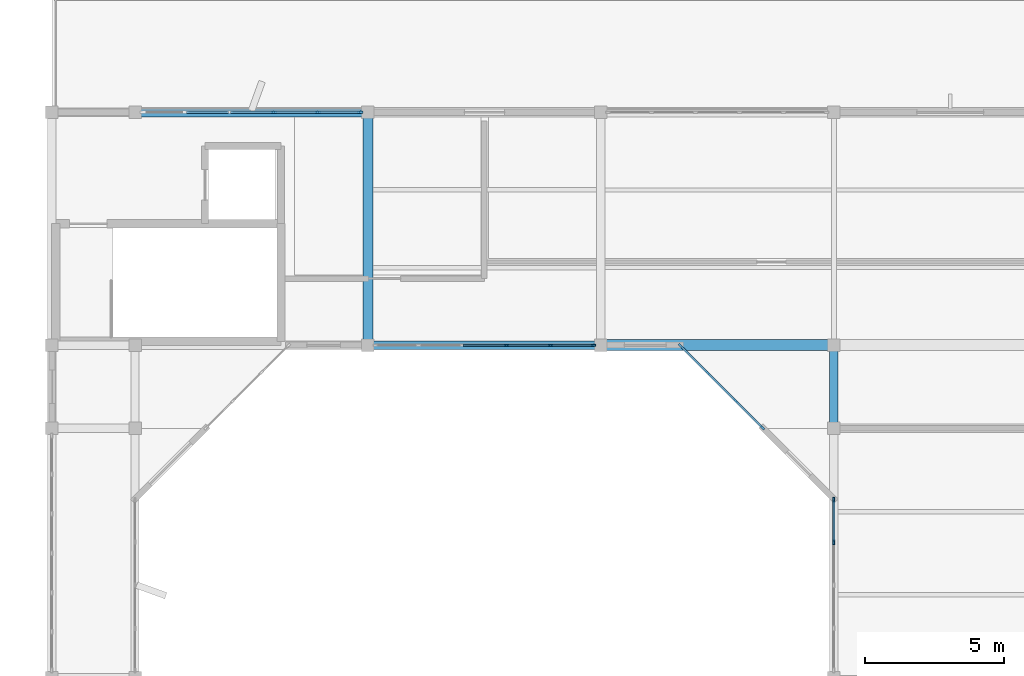
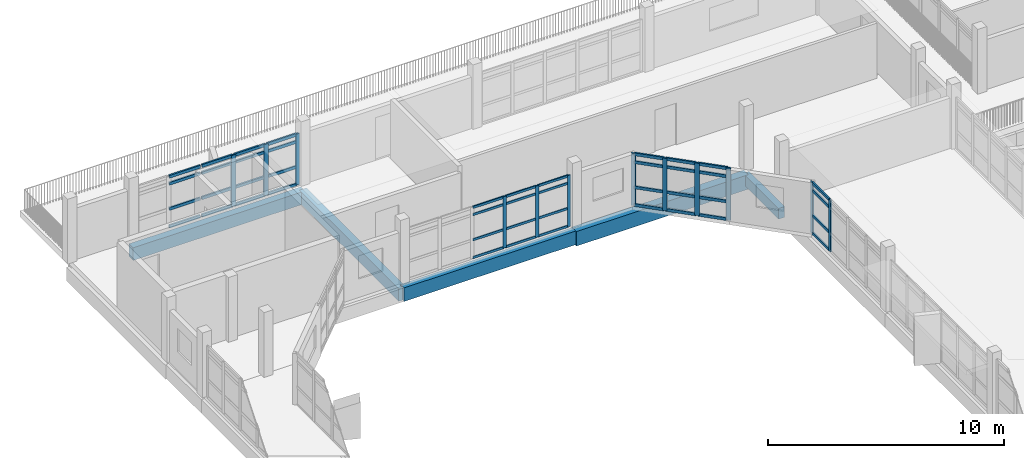
# One storey, part 8 of 33: 56 members, 5 beams, 4 elements without a shape of their own.
"""IFC4 building model written with IfcOpenShell, lengths in metres."""

from ifc_helpers import new_model, si_unit, direction, frame, origin, origin_2d, place, context, subcontext, project, spatial, rectangle, extrude, material, material_profile, profile_set, type_object, element, aggregate, save


model = new_model("IFC4")

# Units and contexts
model_context = context("Model", 3, precision=1e-05, world=origin(), true_north=direction((0.0, 1.0)))
body_context = subcontext(model_context, "Body", "Model", "MODEL_VIEW")
ifc_project = project(units=[si_unit("LENGTHUNIT", "METRE"), si_unit("AREAUNIT", "SQUARE_METRE"), si_unit("VOLUMEUNIT", "CUBIC_METRE"), si_unit("PLANEANGLEUNIT", "RADIAN"), si_unit("MASSUNIT", "GRAM", prefix="KILO")], contexts=[model_context])

# Site, building, storey
site_placement = place(None, origin())
site = spatial("IfcSite", under=ifc_project, at=site_placement, CompositionType="ELEMENT")
building_placement = place(site_placement, origin())
building = spatial("IfcBuilding", under=site, at=building_placement, Name="Vanh Quang Courtyard School", CompositionType="ELEMENT")
storey_placement = place(building_placement, frame((0.0, 0.0, 18.60009765625)))
storey = spatial("IfcBuildingStorey", under=building, at=storey_placement, Name="L05", CompositionType="ELEMENT", Elevation=18.60009765625)

# Beams
ifc_material_1 = material(Name="Concrete C35/45", Category="concrete")
ifc_material_profile_1 = material_profile(ifc_material_1, rectangle(XDim=0.300048828125, YDim=0.550048828125, at=origin_2d()), Name="RC-BM 300x550")
ifc_profile_set_1 = profile_set([ifc_material_profile_1], Name="Concrete C35/45")
beam_type_1 = type_object("IfcBeamType", Name="BM-RC-300x550", PredefinedType="BEAM", material=ifc_profile_set_1)
beam_1_placement = place(storey_placement, frame((66.0, 68.39990234375, -0.525146484375), z_axis=(0.0, 1.0, 0.0), x_axis=(-1.0, 0.0, 0.0)))
element("IfcBeam", 1, at=beam_1_placement, inside=storey, type_object=beam_type_1, Name="Beam B-07 (L05)", PredefinedType="BEAM", context=body_context, shape_type="SweptSolid", body=[
    extrude(rectangle(XDim=0.300048828125, YDim=0.550048828125, at=origin_2d()), origin(), (0.0, 0.0, 1.0), 3.0),
])
ifc_material_profile_2 = material_profile(ifc_material_1, rectangle(XDim=0.35009765625, YDim=0.64990234375, at=origin_2d()), Name="RC-BM 350x650")
ifc_profile_set_2 = profile_set([ifc_material_profile_2], Name="Concrete C35/45")
beam_type_2 = type_object("IfcBeamType", Name="BM-RC-350x650", PredefinedType="BEAM", material=ifc_profile_set_2)
beam_2_placement = place(storey_placement, frame((40.800048828125, 79.800048828125, -0.64501953125), z_axis=(1.0, 0.0, 0.0), x_axis=(0.0, 1.0, 0.0)))
element("IfcBeam", 2, at=beam_2_placement, inside=storey, type_object=beam_type_2, Name="Beam B-05 (L05)", PredefinedType="BEAM", context=body_context, shape_type="SweptSolid", body=[
    extrude(rectangle(XDim=0.35009765625, YDim=0.64990234375, at=origin_2d()), origin(), (0.0, 0.0, 1.0), 8.39990234375),
])
beam_3_placement = place(storey_placement, frame((49.199951171875, 71.39990234375, -0.64501953125), z_axis=(0.0, 1.0, 0.0), x_axis=(-1.0, 0.0, 0.0)))
element("IfcBeam", 3, at=beam_3_placement, inside=storey, type_object=beam_type_2, Name="Beam B-05 (L05)", PredefinedType="BEAM", context=body_context, shape_type="SweptSolid", body=[
    extrude(rectangle(XDim=0.35009765625, YDim=0.64990234375, at=origin_2d()), origin(), (0.0, 0.0, 1.0), 8.400146484375),
])
ifc_material_profile_3 = material_profile(ifc_material_1, rectangle(XDim=0.39990234375, YDim=0.75, at=origin_2d()), Name="RC-BM 400x750")
ifc_profile_set_3 = profile_set([ifc_material_profile_3], Name="Concrete C35/45")
beam_type_3 = type_object("IfcBeamType", Name="BM-RC-400x750", PredefinedType="BEAM", material=ifc_profile_set_3)
beam_4_placement = place(storey_placement, frame((57.60009765625, 71.39990234375, -0.625), z_axis=(1.0, 0.0, 0.0), x_axis=(0.0, 1.0, 0.0)))
element("IfcBeam", 4, at=beam_4_placement, inside=storey, type_object=beam_type_3, Name="Beam B-03 (L05)", PredefinedType="BEAM", context=body_context, shape_type="SweptSolid", body=[
    extrude(rectangle(XDim=0.39990234375, YDim=0.75, at=origin_2d()), origin(), (0.0, 0.0, 1.0), 8.39990234375),
])
ifc_material_profile_4 = material_profile(ifc_material_1, rectangle(XDim=0.300048828125, YDim=0.699951171875, at=origin_2d()), Name="RC-SP 300x700")
ifc_profile_set_4 = profile_set([ifc_material_profile_4], Name="Concrete C35/45")
beam_type_4 = type_object("IfcBeamType", Name="BM-SP-300x700", PredefinedType="SPANDREL", material=ifc_profile_set_4)
beam_5_placement = place(storey_placement, frame((49.199951171875, 71.39990234375, -0.60009765625), z_axis=(1.0, 0.0, 0.0), x_axis=(0.0, 1.0, 0.0)))
element("IfcBeam", 5, at=beam_5_placement, inside=storey, type_object=beam_type_4, Name="Beam BS-01 (L05)", PredefinedType="SPANDREL", context=body_context, shape_type="SweptSolid", body=[
    extrude(rectangle(XDim=0.300048828125, YDim=0.699951171875, at=origin_2d()), origin(), (0.0, 0.0, 1.0), 8.400146484375),
])

# Curtain wall, members
ifc_material_2 = material(Name="Thermally broken aluminium unitised curtain wall", Category="aluminium")
curtain_wall_type_1 = type_object("IfcCurtainWallType", Name="CW-SYS-19", PredefinedType="NOTDEFINED", material=ifc_material_2)
curtain_wall_1_placement = place(storey_placement, origin())
curtain_wall_1 = element("IfcCurtainWall", 6, at=curtain_wall_1_placement, inside=storey, type_object=curtain_wall_type_1, Name="Curtain Wall CW-19 (L05)", PredefinedType="NOTDEFINED")
ifc_material_3 = material(Name="Anodised aluminium 6063-T6", Category="aluminium")
ifc_material_profile_5 = material_profile(ifc_material_3, rectangle(XDim=0.06005859375, YDim=0.159912109375, at=origin_2d()), Name="ALU-MUL 60x160")
ifc_profile_set_5 = profile_set([ifc_material_profile_5], Name="Anodised aluminium 6063-T6")
member_type_1 = type_object("IfcMemberType", Name="CW-MUL-60x160", PredefinedType="MULLION", material=ifc_profile_set_5)
member_1_placement = place(storey_placement, frame((57.3369140625, 71.39990234375, 0.0), z_axis=(0.0, 0.0, 1.0), x_axis=(0.0, -1.0, 0.0)))
member_1 = element("IfcMember", 7, at=member_1_placement, type_object=member_type_1, Name="CW-19 mullion 1", PredefinedType="MULLION", context=body_context, shape_type="SweptSolid", body=[
    extrude(rectangle(XDim=0.06005859375, YDim=0.159912109375, at=origin_2d()), origin(), (0.0, 0.0, 1.0), 2.64990234375),
])
member_2_placement = place(storey_placement, frame((55.7802734375, 71.39990234375, 0.0), z_axis=(0.0, 0.0, 1.0), x_axis=(0.0, -1.0, 0.0)))
member_2 = element("IfcMember", 8, at=member_2_placement, type_object=member_type_1, Name="CW-19 mullion 2", PredefinedType="MULLION", context=body_context, shape_type="SweptSolid", body=[
    extrude(rectangle(XDim=0.06005859375, YDim=0.159912109375, at=origin_2d()), origin(), (0.0, 0.0, 1.0), 2.64990234375),
])
member_3_placement = place(storey_placement, frame((54.193359375, 71.39990234375, 0.0), z_axis=(0.0, 0.0, 1.0), x_axis=(0.0, -1.0, 0.0)))
member_3 = element("IfcMember", 9, at=member_3_placement, type_object=member_type_1, Name="CW-19 mullion 3", PredefinedType="MULLION", context=body_context, shape_type="SweptSolid", body=[
    extrude(rectangle(XDim=0.06005859375, YDim=0.159912109375, at=origin_2d()), origin(), (0.0, 0.0, 1.0), 2.64990234375),
])

curtain_wall_type_2 = type_object("IfcCurtainWallType", Name="CW-SYS-44", PredefinedType="NOTDEFINED", material=ifc_material_2)
curtain_wall_2_placement = place(storey_placement, origin())
curtain_wall_2 = element("IfcCurtainWall", 10, at=curtain_wall_2_placement, inside=storey, type_object=curtain_wall_type_2, Name="Curtain Wall CW-44 (L05)", PredefinedType="NOTDEFINED")
ifc_material_profile_6 = material_profile(ifc_material_3, rectangle(XDim=0.070068359375, YDim=0.179931640625, at=origin_2d()), Name="ALU-MUL 70x180")
ifc_profile_set_6 = profile_set([ifc_material_profile_6], Name="Anodised aluminium 6063-T6")
member_type_2 = type_object("IfcMemberType", Name="CW-MUL-70x180", PredefinedType="MULLION", material=ifc_profile_set_6)
member_4_placement = place(storey_placement, frame((66.0, 64.30029296875, 0.0), z_axis=(0.0, 0.0, 1.0), x_axis=(-1.0, 0.0, 0.0)))
member_4 = element("IfcMember", 11, at=member_4_placement, type_object=member_type_2, Name="CW-44 mullion 4", PredefinedType="MULLION", context=body_context, shape_type="SweptSolid", body=[
    extrude(rectangle(XDim=0.070068359375, YDim=0.179931640625, at=origin_2d()), origin(), (0.0, 0.0, 1.0), 2.64990234375),
])
member_5_placement = place(storey_placement, frame((66.0, 65.821044921875, 0.0), z_axis=(0.0, 0.0, 1.0), x_axis=(-1.0, 0.0, 0.0)))
member_5 = element("IfcMember", 12, at=member_5_placement, type_object=member_type_2, Name="CW-44 mullion 5", PredefinedType="MULLION", context=body_context, shape_type="SweptSolid", body=[
    extrude(rectangle(XDim=0.070068359375, YDim=0.179931640625, at=origin_2d()), origin(), (0.0, 0.0, 1.0), 2.64990234375),
])

curtain_wall_3_placement = place(storey_placement, origin())
curtain_wall_3 = element("IfcCurtainWall", 13, at=curtain_wall_3_placement, inside=storey, type_object=curtain_wall_type_1, Name="Curtain Wall CW-19 (L05)", PredefinedType="NOTDEFINED")
ifc_material_profile_7 = material_profile(ifc_material_3, rectangle(XDim=0.080078125, YDim=0.199951171875, at=origin_2d()), Name="ALU-MUL 80x200")
ifc_profile_set_7 = profile_set([ifc_material_profile_7], Name="Anodised aluminium 6063-T6")
member_type_3 = type_object("IfcMemberType", Name="CW-MUL-80x200", PredefinedType="MULLION", material=ifc_profile_set_7)
member_6_placement = place(storey_placement, frame((45.79345703125, 79.800048828125, 0.0), z_axis=(0.0, 0.0, 1.0), x_axis=(0.0, 1.0, 0.0)))
member_6 = element("IfcMember", 14, at=member_6_placement, type_object=member_type_3, Name="CW-19 mullion 4", PredefinedType="MULLION", context=body_context, shape_type="SweptSolid", body=[
    extrude(rectangle(XDim=0.080078125, YDim=0.199951171875, at=origin_2d()), origin(), (0.0, 0.0, 1.0), 2.64990234375),
])
member_7_placement = place(storey_placement, frame((47.380126953125, 79.800048828125, 0.0), z_axis=(0.0, 0.0, 1.0), x_axis=(0.0, 1.0, 0.0)))
member_7 = element("IfcMember", 15, at=member_7_placement, type_object=member_type_3, Name="CW-19 mullion 5", PredefinedType="MULLION", context=body_context, shape_type="SweptSolid", body=[
    extrude(rectangle(XDim=0.080078125, YDim=0.199951171875, at=origin_2d()), origin(), (0.0, 0.0, 1.0), 2.64990234375),
])
member_8_placement = place(storey_placement, frame((48.927001953125, 79.800048828125, 0.0), z_axis=(0.0, 0.0, 1.0), x_axis=(0.0, 1.0, 0.0)))
member_8 = element("IfcMember", 16, at=member_8_placement, type_object=member_type_3, Name="CW-19 mullion 6", PredefinedType="MULLION", context=body_context, shape_type="SweptSolid", body=[
    extrude(rectangle(XDim=0.080078125, YDim=0.199951171875, at=origin_2d()), origin(), (0.0, 0.0, 1.0), 2.64990234375),
])

curtain_wall_type_3 = type_object("IfcCurtainWallType", Name="CW-SYS-66", PredefinedType="NOTDEFINED", material=ifc_material_2)
curtain_wall_4_placement = place(storey_placement, origin())
curtain_wall_4 = element("IfcCurtainWall", 17, at=curtain_wall_4_placement, inside=storey, type_object=curtain_wall_type_3, Name="Curtain Wall CW-66 (L05)", PredefinedType="NOTDEFINED")
member_9_placement = place(storey_placement, frame((63.427734375, 68.42822265625, 0.0), z_axis=(0.0, 0.0, 1.0), x_axis=(-0.707106781187, -0.707106781187, 0.0)))
member_9 = element("IfcMember", 18, at=member_9_placement, type_object=member_type_3, Name="CW-66 mullion 1", PredefinedType="MULLION", context=body_context, shape_type="SweptSolid", body=[
    extrude(rectangle(XDim=0.080078125, YDim=0.199951171875, at=origin_2d()), origin(), (0.0, 0.0, 1.0), 2.699951171875),
])
member_10_placement = place(storey_placement, frame((62.4560546875, 69.39990234375, 0.0), z_axis=(0.0, 0.0, 1.0), x_axis=(-0.707106781187, -0.707106781187, 0.0)))
member_10 = element("IfcMember", 19, at=member_10_placement, type_object=member_type_3, Name="CW-66 mullion 2", PredefinedType="MULLION", context=body_context, shape_type="SweptSolid", body=[
    extrude(rectangle(XDim=0.080078125, YDim=0.199951171875, at=origin_2d()), origin(), (0.0, 0.0, 1.0), 2.699951171875),
])
member_11_placement = place(storey_placement, frame((61.4560546875, 70.39990234375, 0.0), z_axis=(0.0, 0.0, 1.0), x_axis=(-0.707106781187, -0.707106781187, 0.0)))
member_11 = element("IfcMember", 20, at=member_11_placement, type_object=member_type_3, Name="CW-66 mullion 3", PredefinedType="MULLION", context=body_context, shape_type="SweptSolid", body=[
    extrude(rectangle(XDim=0.080078125, YDim=0.199951171875, at=origin_2d()), origin(), (0.0, 0.0, 1.0), 2.699951171875),
])
member_12_placement = place(storey_placement, frame((60.484375, 71.371826171875, 0.0), z_axis=(0.0, 0.0, 1.0), x_axis=(-0.707106781187, -0.707106781187, 0.0)))
member_12 = element("IfcMember", 21, at=member_12_placement, type_object=member_type_3, Name="CW-66 mullion 4", PredefinedType="MULLION", context=body_context, shape_type="SweptSolid", body=[
    extrude(rectangle(XDim=0.080078125, YDim=0.199951171875, at=origin_2d()), origin(), (0.0, 0.0, 1.0), 2.699951171875),
])

# Member
ifc_material_profile_8 = material_profile(ifc_material_3, rectangle(XDim=0.06005859375, YDim=0.1201171875, at=origin_2d()), Name="ALU-TRN 60x120")
ifc_profile_set_8 = profile_set([ifc_material_profile_8], Name="Anodised aluminium 6063-T6")
member_type_4 = type_object("IfcMemberType", Name="CW-TRN-60x120", PredefinedType="USERDEFINED", material=ifc_profile_set_8)
member_13_placement = place(storey_placement, frame((57.306884765625, 71.39990234375, 0.02978515625), z_axis=(-1.0, 0.0, 0.0), x_axis=(0.0, -1.0, 0.0)))
member_13 = element("IfcMember", 22, at=member_13_placement, type_object=member_type_4, Name="CW-19 transom 1.1", ObjectType="TRANSOM", PredefinedType="USERDEFINED", context=body_context, shape_type="SweptSolid", body=[
    extrude(rectangle(XDim=0.06005859375, YDim=0.1201171875, at=origin_2d()), origin(), (0.0, 0.0, 1.0), 1.49658203125),
])

member_14_placement = place(storey_placement, frame((57.306884765625, 71.39990234375, 0.949951171875), z_axis=(-1.0, 0.0, 0.0), x_axis=(0.0, -1.0, 0.0)))
member_14 = element("IfcMember", 23, at=member_14_placement, type_object=member_type_4, Name="CW-19 transom 1.2", ObjectType="TRANSOM", PredefinedType="USERDEFINED", context=body_context, shape_type="SweptSolid", body=[
    extrude(rectangle(XDim=0.06005859375, YDim=0.1201171875, at=origin_2d()), origin(), (0.0, 0.0, 1.0), 1.49658203125),
])

member_15_placement = place(storey_placement, frame((57.306884765625, 71.39990234375, 2.25), z_axis=(-1.0, 0.0, 0.0), x_axis=(0.0, -1.0, 0.0)))
member_15 = element("IfcMember", 24, at=member_15_placement, type_object=member_type_4, Name="CW-19 transom 1.3", ObjectType="TRANSOM", PredefinedType="USERDEFINED", context=body_context, shape_type="SweptSolid", body=[
    extrude(rectangle(XDim=0.06005859375, YDim=0.1201171875, at=origin_2d()), origin(), (0.0, 0.0, 1.0), 1.49658203125),
])

member_16_placement = place(storey_placement, frame((57.306884765625, 71.39990234375, 2.619873046875), z_axis=(-1.0, 0.0, 0.0), x_axis=(0.0, -1.0, 0.0)))
member_16 = element("IfcMember", 25, at=member_16_placement, type_object=member_type_4, Name="CW-19 transom 1.4", ObjectType="TRANSOM", PredefinedType="USERDEFINED", context=body_context, shape_type="SweptSolid", body=[
    extrude(rectangle(XDim=0.06005859375, YDim=0.1201171875, at=origin_2d()), origin(), (0.0, 0.0, 1.0), 1.49658203125),
])

member_17_placement = place(storey_placement, frame((55.750244140625, 71.39990234375, 0.02978515625), z_axis=(-1.0, 0.0, 0.0), x_axis=(0.0, -1.0, 0.0)))
member_17 = element("IfcMember", 26, at=member_17_placement, type_object=member_type_4, Name="CW-19 transom 2.1", ObjectType="TRANSOM", PredefinedType="USERDEFINED", context=body_context, shape_type="SweptSolid", body=[
    extrude(rectangle(XDim=0.06005859375, YDim=0.1201171875, at=origin_2d()), origin(), (0.0, 0.0, 1.0), 1.52685546875),
])

member_18_placement = place(storey_placement, frame((55.750244140625, 71.39990234375, 0.949951171875), z_axis=(-1.0, 0.0, 0.0), x_axis=(0.0, -1.0, 0.0)))
member_18 = element("IfcMember", 27, at=member_18_placement, type_object=member_type_4, Name="CW-19 transom 2.2", ObjectType="TRANSOM", PredefinedType="USERDEFINED", context=body_context, shape_type="SweptSolid", body=[
    extrude(rectangle(XDim=0.06005859375, YDim=0.1201171875, at=origin_2d()), origin(), (0.0, 0.0, 1.0), 1.52685546875),
])

member_19_placement = place(storey_placement, frame((55.750244140625, 71.39990234375, 2.25), z_axis=(-1.0, 0.0, 0.0), x_axis=(0.0, -1.0, 0.0)))
member_19 = element("IfcMember", 28, at=member_19_placement, type_object=member_type_4, Name="CW-19 transom 2.3", ObjectType="TRANSOM", PredefinedType="USERDEFINED", context=body_context, shape_type="SweptSolid", body=[
    extrude(rectangle(XDim=0.06005859375, YDim=0.1201171875, at=origin_2d()), origin(), (0.0, 0.0, 1.0), 1.52685546875),
])

member_20_placement = place(storey_placement, frame((55.750244140625, 71.39990234375, 2.619873046875), z_axis=(-1.0, 0.0, 0.0), x_axis=(0.0, -1.0, 0.0)))
member_20 = element("IfcMember", 29, at=member_20_placement, type_object=member_type_4, Name="CW-19 transom 2.4", ObjectType="TRANSOM", PredefinedType="USERDEFINED", context=body_context, shape_type="SweptSolid", body=[
    extrude(rectangle(XDim=0.06005859375, YDim=0.1201171875, at=origin_2d()), origin(), (0.0, 0.0, 1.0), 1.52685546875),
])

member_21_placement = place(storey_placement, frame((54.163330078125, 71.39990234375, 0.02978515625), z_axis=(-1.0, 0.0, 0.0), x_axis=(0.0, -1.0, 0.0)))
member_21 = element("IfcMember", 30, at=member_21_placement, type_object=member_type_4, Name="CW-19 transom 3.1", ObjectType="TRANSOM", PredefinedType="USERDEFINED", context=body_context, shape_type="SweptSolid", body=[
    extrude(rectangle(XDim=0.06005859375, YDim=0.1201171875, at=origin_2d()), origin(), (0.0, 0.0, 1.0), 1.526611328125),
])

member_22_placement = place(storey_placement, frame((54.163330078125, 71.39990234375, 0.949951171875), z_axis=(-1.0, 0.0, 0.0), x_axis=(0.0, -1.0, 0.0)))
member_22 = element("IfcMember", 31, at=member_22_placement, type_object=member_type_4, Name="CW-19 transom 3.2", ObjectType="TRANSOM", PredefinedType="USERDEFINED", context=body_context, shape_type="SweptSolid", body=[
    extrude(rectangle(XDim=0.06005859375, YDim=0.1201171875, at=origin_2d()), origin(), (0.0, 0.0, 1.0), 1.526611328125),
])

member_23_placement = place(storey_placement, frame((54.163330078125, 71.39990234375, 2.25), z_axis=(-1.0, 0.0, 0.0), x_axis=(0.0, -1.0, 0.0)))
member_23 = element("IfcMember", 32, at=member_23_placement, type_object=member_type_4, Name="CW-19 transom 3.3", ObjectType="TRANSOM", PredefinedType="USERDEFINED", context=body_context, shape_type="SweptSolid", body=[
    extrude(rectangle(XDim=0.06005859375, YDim=0.1201171875, at=origin_2d()), origin(), (0.0, 0.0, 1.0), 1.526611328125),
])

member_24_placement = place(storey_placement, frame((54.163330078125, 71.39990234375, 2.619873046875), z_axis=(-1.0, 0.0, 0.0), x_axis=(0.0, -1.0, 0.0)))
member_24 = element("IfcMember", 33, at=member_24_placement, type_object=member_type_4, Name="CW-19 transom 3.4", ObjectType="TRANSOM", PredefinedType="USERDEFINED", context=body_context, shape_type="SweptSolid", body=[
    extrude(rectangle(XDim=0.06005859375, YDim=0.1201171875, at=origin_2d()), origin(), (0.0, 0.0, 1.0), 1.526611328125),
])

aggregate(curtain_wall_1, [member_1, member_2, member_3, member_13, member_14, member_15, member_16, member_17, member_18, member_19, member_20, member_21, member_22, member_23, member_24])

ifc_material_profile_9 = material_profile(ifc_material_3, rectangle(XDim=0.070068359375, YDim=0.139892578125, at=origin_2d()), Name="ALU-TRN 70x140")
ifc_profile_set_9 = profile_set([ifc_material_profile_9], Name="Anodised aluminium 6063-T6")
member_type_5 = type_object("IfcMemberType", Name="CW-TRN-70x140", PredefinedType="USERDEFINED", material=ifc_profile_set_9)
member_25_placement = place(storey_placement, frame((66.0, 64.335205078125, 0.034912109375), z_axis=(0.0, 1.0, 0.0), x_axis=(-1.0, 0.0, 0.0)))
member_25 = element("IfcMember", 34, at=member_25_placement, type_object=member_type_5, Name="CW-44 transom 4.1", ObjectType="TRANSOM", PredefinedType="USERDEFINED", context=body_context, shape_type="SweptSolid", body=[
    extrude(rectangle(XDim=0.070068359375, YDim=0.139892578125, at=origin_2d()), origin(), (0.0, 0.0, 1.0), 1.45068359375),
])

member_26_placement = place(storey_placement, frame((66.0, 64.335205078125, 0.949951171875), z_axis=(0.0, 1.0, 0.0), x_axis=(-1.0, 0.0, 0.0)))
member_26 = element("IfcMember", 35, at=member_26_placement, type_object=member_type_5, Name="CW-44 transom 4.2", ObjectType="TRANSOM", PredefinedType="USERDEFINED", context=body_context, shape_type="SweptSolid", body=[
    extrude(rectangle(XDim=0.070068359375, YDim=0.139892578125, at=origin_2d()), origin(), (0.0, 0.0, 1.0), 1.45068359375),
])

member_27_placement = place(storey_placement, frame((66.0, 64.335205078125, 2.25), z_axis=(0.0, 1.0, 0.0), x_axis=(-1.0, 0.0, 0.0)))
member_27 = element("IfcMember", 36, at=member_27_placement, type_object=member_type_5, Name="CW-44 transom 4.3", ObjectType="TRANSOM", PredefinedType="USERDEFINED", context=body_context, shape_type="SweptSolid", body=[
    extrude(rectangle(XDim=0.070068359375, YDim=0.139892578125, at=origin_2d()), origin(), (0.0, 0.0, 1.0), 1.45068359375),
])

member_28_placement = place(storey_placement, frame((66.0, 64.335205078125, 2.614990234375), z_axis=(0.0, 1.0, 0.0), x_axis=(-1.0, 0.0, 0.0)))
member_28 = element("IfcMember", 37, at=member_28_placement, type_object=member_type_5, Name="CW-44 transom 4.4", ObjectType="TRANSOM", PredefinedType="USERDEFINED", context=body_context, shape_type="SweptSolid", body=[
    extrude(rectangle(XDim=0.070068359375, YDim=0.139892578125, at=origin_2d()), origin(), (0.0, 0.0, 1.0), 1.45068359375),
])

aggregate(curtain_wall_2, [member_4, member_5, member_25, member_26, member_27, member_28])

ifc_material_profile_10 = material_profile(ifc_material_3, rectangle(XDim=0.080078125, YDim=0.14990234375, at=origin_2d()), Name="ALU-TRN 80x150")
ifc_profile_set_10 = profile_set([ifc_material_profile_10], Name="Anodised aluminium 6063-T6")
member_type_6 = type_object("IfcMemberType", Name="CW-TRN-80x150", PredefinedType="USERDEFINED", material=ifc_profile_set_10)
member_29_placement = place(storey_placement, frame((42.659912109375, 79.800048828125, 0.039794921875), z_axis=(1.0, 0.0, 0.0), x_axis=(0.0, 1.0, 0.0)))
member_29 = element("IfcMember", 38, at=member_29_placement, type_object=member_type_6, Name="CW-19 transom 2.1", ObjectType="TRANSOM", PredefinedType="USERDEFINED", context=body_context, shape_type="SweptSolid", body=[
    extrude(rectangle(XDim=0.080078125, YDim=0.14990234375, at=origin_2d()), origin(), (0.0, 0.0, 1.0), 1.506591796875),
])

member_30_placement = place(storey_placement, frame((42.659912109375, 79.800048828125, 0.949951171875), z_axis=(1.0, 0.0, 0.0), x_axis=(0.0, 1.0, 0.0)))
member_30 = element("IfcMember", 39, at=member_30_placement, type_object=member_type_6, Name="CW-19 transom 2.2", ObjectType="TRANSOM", PredefinedType="USERDEFINED", context=body_context, shape_type="SweptSolid", body=[
    extrude(rectangle(XDim=0.080078125, YDim=0.14990234375, at=origin_2d()), origin(), (0.0, 0.0, 1.0), 1.506591796875),
])

member_31_placement = place(storey_placement, frame((42.659912109375, 79.800048828125, 2.25), z_axis=(1.0, 0.0, 0.0), x_axis=(0.0, 1.0, 0.0)))
member_31 = element("IfcMember", 40, at=member_31_placement, type_object=member_type_6, Name="CW-19 transom 2.3", ObjectType="TRANSOM", PredefinedType="USERDEFINED", context=body_context, shape_type="SweptSolid", body=[
    extrude(rectangle(XDim=0.080078125, YDim=0.14990234375, at=origin_2d()), origin(), (0.0, 0.0, 1.0), 1.506591796875),
])

member_32_placement = place(storey_placement, frame((42.659912109375, 79.800048828125, 2.60986328125), z_axis=(1.0, 0.0, 0.0), x_axis=(0.0, 1.0, 0.0)))
member_32 = element("IfcMember", 41, at=member_32_placement, type_object=member_type_6, Name="CW-19 transom 2.4", ObjectType="TRANSOM", PredefinedType="USERDEFINED", context=body_context, shape_type="SweptSolid", body=[
    extrude(rectangle(XDim=0.080078125, YDim=0.14990234375, at=origin_2d()), origin(), (0.0, 0.0, 1.0), 1.506591796875),
])

member_33_placement = place(storey_placement, frame((44.24658203125, 79.800048828125, 0.039794921875), z_axis=(1.0, 0.0, 0.0), x_axis=(0.0, 1.0, 0.0)))
member_33 = element("IfcMember", 42, at=member_33_placement, type_object=member_type_6, Name="CW-19 transom 3.1", ObjectType="TRANSOM", PredefinedType="USERDEFINED", context=body_context, shape_type="SweptSolid", body=[
    extrude(rectangle(XDim=0.080078125, YDim=0.14990234375, at=origin_2d()), origin(), (0.0, 0.0, 1.0), 1.5068359375),
])

member_34_placement = place(storey_placement, frame((44.24658203125, 79.800048828125, 0.949951171875), z_axis=(1.0, 0.0, 0.0), x_axis=(0.0, 1.0, 0.0)))
member_34 = element("IfcMember", 43, at=member_34_placement, type_object=member_type_6, Name="CW-19 transom 3.2", ObjectType="TRANSOM", PredefinedType="USERDEFINED", context=body_context, shape_type="SweptSolid", body=[
    extrude(rectangle(XDim=0.080078125, YDim=0.14990234375, at=origin_2d()), origin(), (0.0, 0.0, 1.0), 1.5068359375),
])

member_35_placement = place(storey_placement, frame((44.24658203125, 79.800048828125, 2.25), z_axis=(1.0, 0.0, 0.0), x_axis=(0.0, 1.0, 0.0)))
member_35 = element("IfcMember", 44, at=member_35_placement, type_object=member_type_6, Name="CW-19 transom 3.3", ObjectType="TRANSOM", PredefinedType="USERDEFINED", context=body_context, shape_type="SweptSolid", body=[
    extrude(rectangle(XDim=0.080078125, YDim=0.14990234375, at=origin_2d()), origin(), (0.0, 0.0, 1.0), 1.5068359375),
])

member_36_placement = place(storey_placement, frame((44.24658203125, 79.800048828125, 2.60986328125), z_axis=(1.0, 0.0, 0.0), x_axis=(0.0, 1.0, 0.0)))
member_36 = element("IfcMember", 45, at=member_36_placement, type_object=member_type_6, Name="CW-19 transom 3.4", ObjectType="TRANSOM", PredefinedType="USERDEFINED", context=body_context, shape_type="SweptSolid", body=[
    extrude(rectangle(XDim=0.080078125, YDim=0.14990234375, at=origin_2d()), origin(), (0.0, 0.0, 1.0), 1.5068359375),
])

member_37_placement = place(storey_placement, frame((45.83349609375, 79.800048828125, 0.039794921875), z_axis=(1.0, 0.0, 0.0), x_axis=(0.0, 1.0, 0.0)))
member_37 = element("IfcMember", 46, at=member_37_placement, type_object=member_type_6, Name="CW-19 transom 4.1", ObjectType="TRANSOM", PredefinedType="USERDEFINED", context=body_context, shape_type="SweptSolid", body=[
    extrude(rectangle(XDim=0.080078125, YDim=0.14990234375, at=origin_2d()), origin(), (0.0, 0.0, 1.0), 1.506591796875),
])

member_38_placement = place(storey_placement, frame((45.83349609375, 79.800048828125, 0.949951171875), z_axis=(1.0, 0.0, 0.0), x_axis=(0.0, 1.0, 0.0)))
member_38 = element("IfcMember", 47, at=member_38_placement, type_object=member_type_6, Name="CW-19 transom 4.2", ObjectType="TRANSOM", PredefinedType="USERDEFINED", context=body_context, shape_type="SweptSolid", body=[
    extrude(rectangle(XDim=0.080078125, YDim=0.14990234375, at=origin_2d()), origin(), (0.0, 0.0, 1.0), 1.506591796875),
])

member_39_placement = place(storey_placement, frame((45.83349609375, 79.800048828125, 2.25), z_axis=(1.0, 0.0, 0.0), x_axis=(0.0, 1.0, 0.0)))
member_39 = element("IfcMember", 48, at=member_39_placement, type_object=member_type_6, Name="CW-19 transom 4.3", ObjectType="TRANSOM", PredefinedType="USERDEFINED", context=body_context, shape_type="SweptSolid", body=[
    extrude(rectangle(XDim=0.080078125, YDim=0.14990234375, at=origin_2d()), origin(), (0.0, 0.0, 1.0), 1.506591796875),
])

member_40_placement = place(storey_placement, frame((45.83349609375, 79.800048828125, 2.60986328125), z_axis=(1.0, 0.0, 0.0), x_axis=(0.0, 1.0, 0.0)))
member_40 = element("IfcMember", 49, at=member_40_placement, type_object=member_type_6, Name="CW-19 transom 4.4", ObjectType="TRANSOM", PredefinedType="USERDEFINED", context=body_context, shape_type="SweptSolid", body=[
    extrude(rectangle(XDim=0.080078125, YDim=0.14990234375, at=origin_2d()), origin(), (0.0, 0.0, 1.0), 1.506591796875),
])

member_41_placement = place(storey_placement, frame((47.420166015625, 79.800048828125, 0.039794921875), z_axis=(1.0, 0.0, 0.0), x_axis=(0.0, 1.0, 0.0)))
member_41 = element("IfcMember", 50, at=member_41_placement, type_object=member_type_6, Name="CW-19 transom 5.1", ObjectType="TRANSOM", PredefinedType="USERDEFINED", context=body_context, shape_type="SweptSolid", body=[
    extrude(rectangle(XDim=0.080078125, YDim=0.14990234375, at=origin_2d()), origin(), (0.0, 0.0, 1.0), 1.466796875),
])

member_42_placement = place(storey_placement, frame((47.420166015625, 79.800048828125, 0.949951171875), z_axis=(1.0, 0.0, 0.0), x_axis=(0.0, 1.0, 0.0)))
member_42 = element("IfcMember", 51, at=member_42_placement, type_object=member_type_6, Name="CW-19 transom 5.2", ObjectType="TRANSOM", PredefinedType="USERDEFINED", context=body_context, shape_type="SweptSolid", body=[
    extrude(rectangle(XDim=0.080078125, YDim=0.14990234375, at=origin_2d()), origin(), (0.0, 0.0, 1.0), 1.466796875),
])

member_43_placement = place(storey_placement, frame((47.420166015625, 79.800048828125, 2.25), z_axis=(1.0, 0.0, 0.0), x_axis=(0.0, 1.0, 0.0)))
member_43 = element("IfcMember", 52, at=member_43_placement, type_object=member_type_6, Name="CW-19 transom 5.3", ObjectType="TRANSOM", PredefinedType="USERDEFINED", context=body_context, shape_type="SweptSolid", body=[
    extrude(rectangle(XDim=0.080078125, YDim=0.14990234375, at=origin_2d()), origin(), (0.0, 0.0, 1.0), 1.466796875),
])

member_44_placement = place(storey_placement, frame((47.420166015625, 79.800048828125, 2.60986328125), z_axis=(1.0, 0.0, 0.0), x_axis=(0.0, 1.0, 0.0)))
member_44 = element("IfcMember", 53, at=member_44_placement, type_object=member_type_6, Name="CW-19 transom 5.4", ObjectType="TRANSOM", PredefinedType="USERDEFINED", context=body_context, shape_type="SweptSolid", body=[
    extrude(rectangle(XDim=0.080078125, YDim=0.14990234375, at=origin_2d()), origin(), (0.0, 0.0, 1.0), 1.466796875),
])

aggregate(curtain_wall_3, [member_6, member_7, member_8, member_29, member_30, member_31, member_32, member_33, member_34, member_35, member_36, member_37, member_38, member_39, member_40, member_41, member_42, member_43, member_44])

member_45_placement = place(storey_placement, frame((63.3994140625, 68.45654296875, 0.039794921875), z_axis=(-0.707012456265, 0.707201093527, 0.0), x_axis=(-0.707201093527, -0.707012456265, 0.0)))
member_45 = element("IfcMember", 54, at=member_45_placement, type_object=member_type_6, Name="CW-66 transom 1.1", ObjectType="TRANSOM", PredefinedType="USERDEFINED", context=body_context, shape_type="SweptSolid", body=[
    extrude(rectangle(XDim=0.080078125, YDim=0.14990234375, at=origin_2d()), origin(), (0.0, 0.0, 1.0), 1.294189453125),
])

member_46_placement = place(storey_placement, frame((63.3994140625, 68.45654296875, 0.949951171875), z_axis=(-0.707012456265, 0.707201093527, 0.0), x_axis=(-0.707201093527, -0.707012456265, 0.0)))
member_46 = element("IfcMember", 55, at=member_46_placement, type_object=member_type_6, Name="CW-66 transom 1.2", ObjectType="TRANSOM", PredefinedType="USERDEFINED", context=body_context, shape_type="SweptSolid", body=[
    extrude(rectangle(XDim=0.080078125, YDim=0.14990234375, at=origin_2d()), origin(), (0.0, 0.0, 1.0), 1.294189453125),
])

member_47_placement = place(storey_placement, frame((63.3994140625, 68.45654296875, 2.25), z_axis=(-0.707012456265, 0.707201093527, 0.0), x_axis=(-0.707201093527, -0.707012456265, 0.0)))
member_47 = element("IfcMember", 56, at=member_47_placement, type_object=member_type_6, Name="CW-66 transom 1.3", ObjectType="TRANSOM", PredefinedType="USERDEFINED", context=body_context, shape_type="SweptSolid", body=[
    extrude(rectangle(XDim=0.080078125, YDim=0.14990234375, at=origin_2d()), origin(), (0.0, 0.0, 1.0), 1.294189453125),
])

member_48_placement = place(storey_placement, frame((63.3994140625, 68.45654296875, 2.659912109375), z_axis=(-0.707012456265, 0.707201093527, 0.0), x_axis=(-0.707201093527, -0.707012456265, 0.0)))
member_48 = element("IfcMember", 57, at=member_48_placement, type_object=member_type_6, Name="CW-66 transom 1.4", ObjectType="TRANSOM", PredefinedType="USERDEFINED", context=body_context, shape_type="SweptSolid", body=[
    extrude(rectangle(XDim=0.080078125, YDim=0.14990234375, at=origin_2d()), origin(), (0.0, 0.0, 1.0), 1.294189453125),
])

member_49_placement = place(storey_placement, frame((62.427734375, 69.42822265625, 0.039794921875), z_axis=(-0.707015287783, 0.707198262754, 0.0), x_axis=(-0.707198262754, -0.707015287783, 0.0)))
member_49 = element("IfcMember", 58, at=member_49_placement, type_object=member_type_6, Name="CW-66 transom 2.1", ObjectType="TRANSOM", PredefinedType="USERDEFINED", context=body_context, shape_type="SweptSolid", body=[
    extrude(rectangle(XDim=0.080078125, YDim=0.14990234375, at=origin_2d()), origin(), (0.0, 0.0, 1.0), 1.334228515625),
])

member_50_placement = place(storey_placement, frame((62.427734375, 69.42822265625, 0.949951171875), z_axis=(-0.707015287783, 0.707198262754, 0.0), x_axis=(-0.707198262754, -0.707015287783, 0.0)))
member_50 = element("IfcMember", 59, at=member_50_placement, type_object=member_type_6, Name="CW-66 transom 2.2", ObjectType="TRANSOM", PredefinedType="USERDEFINED", context=body_context, shape_type="SweptSolid", body=[
    extrude(rectangle(XDim=0.080078125, YDim=0.14990234375, at=origin_2d()), origin(), (0.0, 0.0, 1.0), 1.334228515625),
])

member_51_placement = place(storey_placement, frame((62.427734375, 69.42822265625, 2.25), z_axis=(-0.707015287783, 0.707198262754, 0.0), x_axis=(-0.707198262754, -0.707015287783, 0.0)))
member_51 = element("IfcMember", 60, at=member_51_placement, type_object=member_type_6, Name="CW-66 transom 2.3", ObjectType="TRANSOM", PredefinedType="USERDEFINED", context=body_context, shape_type="SweptSolid", body=[
    extrude(rectangle(XDim=0.080078125, YDim=0.14990234375, at=origin_2d()), origin(), (0.0, 0.0, 1.0), 1.334228515625),
])

member_52_placement = place(storey_placement, frame((62.427734375, 69.42822265625, 2.659912109375), z_axis=(-0.707015287783, 0.707198262754, 0.0), x_axis=(-0.707198262754, -0.707015287783, 0.0)))
member_52 = element("IfcMember", 61, at=member_52_placement, type_object=member_type_6, Name="CW-66 transom 2.4", ObjectType="TRANSOM", PredefinedType="USERDEFINED", context=body_context, shape_type="SweptSolid", body=[
    extrude(rectangle(XDim=0.080078125, YDim=0.14990234375, at=origin_2d()), origin(), (0.0, 0.0, 1.0), 1.334228515625),
])

member_53_placement = place(storey_placement, frame((61.427734375, 70.42822265625, 0.039794921875), z_axis=(-0.707106781187, 0.707106781187, 0.0), x_axis=(-0.707106781187, -0.707106781187, 0.0)))
member_53 = element("IfcMember", 62, at=member_53_placement, type_object=member_type_6, Name="CW-66 transom 3.1", ObjectType="TRANSOM", PredefinedType="USERDEFINED", context=body_context, shape_type="SweptSolid", body=[
    extrude(rectangle(XDim=0.080078125, YDim=0.14990234375, at=origin_2d()), origin(), (0.0, 0.0, 1.0), 1.29443359375),
])

member_54_placement = place(storey_placement, frame((61.427734375, 70.42822265625, 0.949951171875), z_axis=(-0.707106781187, 0.707106781187, 0.0), x_axis=(-0.707106781187, -0.707106781187, 0.0)))
member_54 = element("IfcMember", 63, at=member_54_placement, type_object=member_type_6, Name="CW-66 transom 3.2", ObjectType="TRANSOM", PredefinedType="USERDEFINED", context=body_context, shape_type="SweptSolid", body=[
    extrude(rectangle(XDim=0.080078125, YDim=0.14990234375, at=origin_2d()), origin(), (0.0, 0.0, 1.0), 1.29443359375),
])

member_55_placement = place(storey_placement, frame((61.427734375, 70.42822265625, 2.25), z_axis=(-0.707106781187, 0.707106781187, 0.0), x_axis=(-0.707106781187, -0.707106781187, 0.0)))
member_55 = element("IfcMember", 64, at=member_55_placement, type_object=member_type_6, Name="CW-66 transom 3.3", ObjectType="TRANSOM", PredefinedType="USERDEFINED", context=body_context, shape_type="SweptSolid", body=[
    extrude(rectangle(XDim=0.080078125, YDim=0.14990234375, at=origin_2d()), origin(), (0.0, 0.0, 1.0), 1.29443359375),
])

member_56_placement = place(storey_placement, frame((61.427734375, 70.42822265625, 2.659912109375), z_axis=(-0.707106781187, 0.707106781187, 0.0), x_axis=(-0.707106781187, -0.707106781187, 0.0)))
member_56 = element("IfcMember", 65, at=member_56_placement, type_object=member_type_6, Name="CW-66 transom 3.4", ObjectType="TRANSOM", PredefinedType="USERDEFINED", context=body_context, shape_type="SweptSolid", body=[
    extrude(rectangle(XDim=0.080078125, YDim=0.14990234375, at=origin_2d()), origin(), (0.0, 0.0, 1.0), 1.29443359375),
])

aggregate(curtain_wall_4, [member_9, member_10, member_11, member_12, member_45, member_46, member_47, member_48, member_49, member_50, member_51, member_52, member_53, member_54, member_55, member_56])

save(model, "model.ifc")
